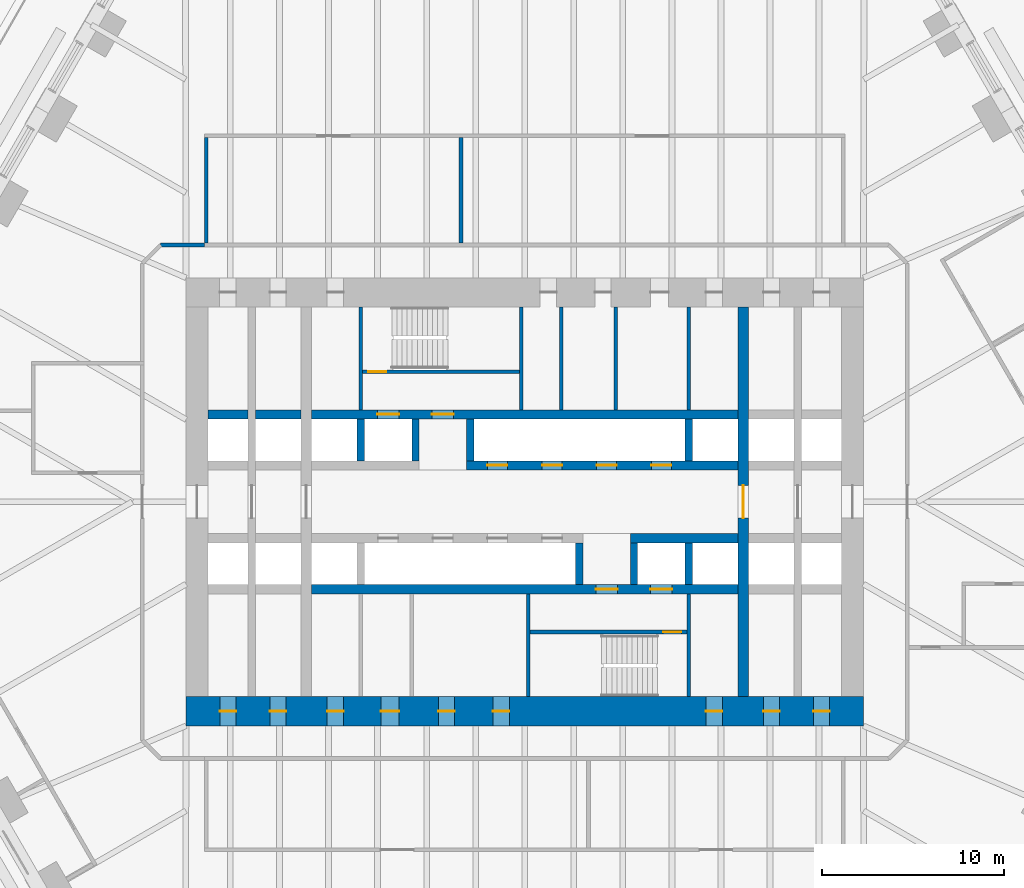
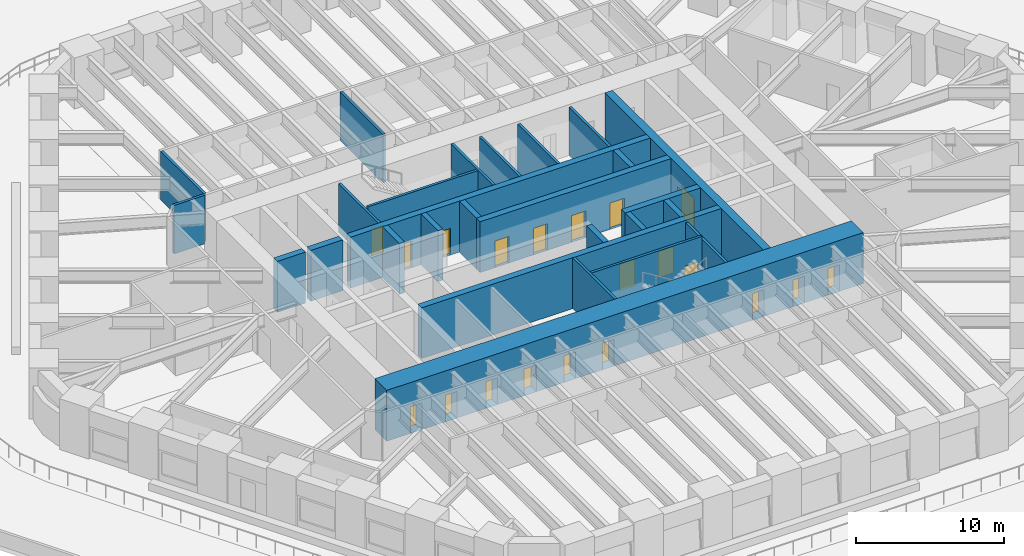
# One storey, part 10 of 17: 27 walls, 20 doors, 20 openings.
"""IFC4 building model written with IfcOpenShell, lengths in metres."""

from ifc_helpers import new_model, si_unit, direction, frame, frame_2d, origin, place, context, subcontext, project, spatial, rectangle, extrude, material, layer, layer_set, type_object, element, fill, save


model = new_model("IFC4")

# Units and contexts
model_context = context("Model", 3, precision=1e-05, world=origin(), true_north=direction((0.0, 1.0)))
body_context = subcontext(model_context, "Body", "Model", "MODEL_VIEW")
ifc_project = project(units=[si_unit("LENGTHUNIT", "METRE"), si_unit("AREAUNIT", "SQUARE_METRE"), si_unit("VOLUMEUNIT", "CUBIC_METRE"), si_unit("PLANEANGLEUNIT", "RADIAN"), si_unit("MASSUNIT", "GRAM", prefix="KILO")], contexts=[model_context])

# Site, building, storey
site_placement = place(None, origin())
site = spatial("IfcSite", under=ifc_project, at=site_placement, CompositionType="ELEMENT")
building_placement = place(site_placement, origin())
building = spatial("IfcBuilding", under=site, at=building_placement, Name="Tarfa Lantern Tower", CompositionType="ELEMENT")
storey_placement = place(building_placement, frame((0.0, 0.0, 23.5)))
storey = spatial("IfcBuildingStorey", under=building, at=storey_placement, Name="L04", CompositionType="ELEMENT", Elevation=23.5)

# Walls
ifc_material_1 = material(Name="Concrete blockwork", Category="masonry")
ifc_layer_1 = layer(ifc_material_1, 0.199951171875)
ifc_layer_set_1 = layer_set([ifc_layer_1], Name="IW1 BLOCKWORK PARTITION 200 EI 120")
wall_type_1 = type_object("IfcWallType", Name="IW1 BLOCKWORK PARTITION 200 EI 120", PredefinedType="PARTITIONING", material=ifc_layer_set_1)
for number, where, z_axis, x_axis, name in (
    (1, (-9.0, 5.050048828125, 0.0), (0.0, 0.0, 1.0), (0.0, 1.0, 0.0), "Core partition"),
    (2, (9.0, 5.050048828125, 0.0), (0.0, 0.0, 1.0), (0.0, 1.0, 0.0), "Core partition"),
    (3, (2.0, 5.050048828125, 0.0), (0.0, 0.0, 1.0), (0.0, 1.0, 0.0), "Core partition"),
    (4, (5.0, 5.050048828125, 0.0), (0.0, 0.0, 1.0), (0.0, 1.0, 0.0), "Core partition"),
    (5, (9.0, -5.050048828125, 0.0), (0.0, 0.0, 1.0), (0.0, -1.0, 0.0), "Core partition"),
):
    element("IfcWall", number, at=place(storey_placement, frame(where, z_axis=z_axis, x_axis=x_axis)), inside=storey, type_object=wall_type_1, Name=name, PredefinedType="PARTITIONING", context=body_context, shape_type="SweptSolid", body=[
        extrude(rectangle(XDim=5.64990234375, YDim=0.199951171875, at=frame_2d((2.824951171875, 0.0))), origin(), (0.0, 0.0, 1.0), 4.0),
    ])
ifc_material_2 = material(Name="Gypsum board on steel studs", Category="steel")
ifc_layer_2 = layer(ifc_material_2, 0.2099609375)
ifc_layer_set_2 = layer_set([ifc_layer_2], Name="IW2 ACOUSTIC PARTITION 200")
wall_type_2 = type_object("IfcWallType", Name="IW2 ACOUSTIC PARTITION 200", PredefinedType="PARTITIONING", material=ifc_layer_set_2)
for number, where, z_axis, x_axis, name in (
    (6, (-17.5, 14.199951171875, 0.0), (0.0, 0.0, 1.0), (0.0, 1.0, 0.0), "Partition"),
    (7, (-3.5, 14.199951171875, 0.0), (0.0, 0.0, 1.0), (0.0, 1.0, 0.0), "Partition"),
):
    element("IfcWall", number, at=place(storey_placement, frame(where, z_axis=z_axis, x_axis=x_axis)), inside=storey, type_object=wall_type_2, Name=name, PredefinedType="PARTITIONING", context=body_context, shape_type="SweptSolid", body=[
        extrude(rectangle(XDim=5.800048828125, YDim=0.199951171875, at=frame_2d((2.89990234375, 0.0))), origin(), (0.0, 0.0, 1.0), 4.0),
    ])
wall_1_placement = place(storey_placement, frame((-20.0, 14.10009765625, 0.0), z_axis=(0.0, 0.0, 1.0), x_axis=(1.0, 0.0, 0.0)))
element("IfcWall", 8, at=wall_1_placement, inside=storey, type_object=wall_type_2, Name="Partition", PredefinedType="PARTITIONING", context=body_context, shape_type="SweptSolid", body=[
    extrude(rectangle(XDim=2.39990234375, YDim=0.199951171875, at=frame_2d((1.199951171875, 0.0))), origin(), (0.0, 0.0, 1.0), 4.0),
])
ifc_material_3 = material(Name="Concrete C80/95", Category="concrete")
ifc_layer_3 = layer(ifc_material_3, 0.199951171875)
ifc_layer_set_3 = layer_set([ifc_layer_3], Name="SW12 CORE WALL 200")
wall_type_3 = type_object("IfcWallType", Name="SW12 CORE WALL 200", PredefinedType="SHEAR", material=ifc_layer_set_3)
wall_2_placement = place(storey_placement, frame((-0.199951171875, 5.050048828125, 0.0), z_axis=(0.0, 0.0, 1.0), x_axis=(0.0, 1.0, 0.0)))
element("IfcWall", 9, at=wall_2_placement, inside=storey, type_object=wall_type_3, Name="Core wall stair shaft N", PredefinedType="SHEAR", context=body_context, shape_type="SweptSolid", body=[
    extrude(rectangle(XDim=5.64990234375, YDim=0.199951171875, at=frame_2d((2.824951171875, 0.0))), origin(), (0.0, 0.0, 1.0), 4.199951171875),
])

# Wall, opening, door
wall_3_placement = place(storey_placement, frame((-8.89990234375, 7.14990234375, 0.0), z_axis=(0.0, 0.0, 1.0), x_axis=(1.0, 0.0, 0.0)))
wall_3 = element("IfcWall", 10, at=wall_3_placement, inside=storey, type_object=wall_type_3, Name="Core wall stair partition N", PredefinedType="SHEAR", context=body_context, shape_type="SweptSolid", body=[
    extrude(rectangle(XDim=8.599853515625, YDim=0.199951171875, at=frame_2d((4.2998046875, 0.0))), origin(), (0.0, 0.0, 1.0), 4.199951171875),
])
opening_1_placement = place(wall_3_placement, frame((0.300048828125, 0.0, 0.0)))
opening_1 = element("IfcOpeningElement", 11, at=opening_1_placement, cuts=wall_3, Name="Opening D23", PredefinedType="OPENING", context=body_context, shape_type="SweptSolid", body=[
    extrude(rectangle(XDim=1.0, YDim=2.199951171875, at=frame_2d((0.5, 1.10009765625))), frame((0.0, 0.10986328125, 0.0), z_axis=(0.0, -1.0, 0.0), x_axis=(1.0, 0.0, 0.0)), (0.0, 0.0, 1.0), 0.219970703125),
])
ifc_material_4 = material(Name="Steel fire door", Category="steel")
door_type_1 = type_object("IfcDoorType", Name="DF2 STAIR DOOR 1000x2200", OperationType="SINGLE_SWING_LEFT", PredefinedType="DOOR", material=ifc_material_4)
door_1_placement = place(opening_1_placement, origin())
door_1 = element("IfcDoor", 12, at=door_1_placement, inside=storey, type_object=door_type_1, Name="Stair door", OperationType="SINGLE_SWING_RIGHT", OverallHeight=2.199951171875, OverallWidth=1.0, PredefinedType="DOOR", context=body_context, shape_type="SweptSolid", body=[
    extrude(rectangle(XDim=1.0, YDim=2.199951171875, at=frame_2d((0.5, 1.10009765625))), frame((0.0, 0.02490234375, 0.0), z_axis=(0.0, -1.0, 0.0), x_axis=(1.0, 0.0, 0.0)), (0.0, 0.0, 1.0), 0.050048828125),
])
fill(opening_1, door_1)

# Wall
wall_4_placement = place(storey_placement, frame((0.199951171875, -5.050048828125, 0.0), z_axis=(0.0, 0.0, 1.0), x_axis=(0.0, -1.0, 0.0)))
element("IfcWall", 13, at=wall_4_placement, inside=storey, type_object=wall_type_3, Name="Core wall stair shaft S", PredefinedType="SHEAR", context=body_context, shape_type="SweptSolid", body=[
    extrude(rectangle(XDim=5.64990234375, YDim=0.199951171875, at=frame_2d((2.824951171875, 0.0))), origin(), (0.0, 0.0, 1.0), 4.199951171875),
])

# Wall, opening, door
wall_5_placement = place(storey_placement, frame((8.89990234375, -7.14990234375, 0.0), z_axis=(0.0, 0.0, 1.0), x_axis=(-1.0, 0.0, 0.0)))
wall_5 = element("IfcWall", 14, at=wall_5_placement, inside=storey, type_object=wall_type_3, Name="Core wall stair partition S", PredefinedType="SHEAR", context=body_context, shape_type="SweptSolid", body=[
    extrude(rectangle(XDim=8.599853515625, YDim=0.199951171875, at=frame_2d((4.2998046875, 0.0))), origin(), (0.0, 0.0, 1.0), 4.199951171875),
])
opening_2_placement = place(wall_5_placement, frame((0.300048828125, 0.0, 0.0)))
opening_2 = element("IfcOpeningElement", 15, at=opening_2_placement, cuts=wall_5, Name="Opening D24", PredefinedType="OPENING", context=body_context, shape_type="SweptSolid", body=[
    extrude(rectangle(XDim=1.0, YDim=2.199951171875, at=frame_2d((0.5, 1.10009765625))), frame((0.0, 0.10986328125, 0.0), z_axis=(0.0, -1.0, 0.0), x_axis=(1.0, 0.0, 0.0)), (0.0, 0.0, 1.0), 0.219970703125),
])
door_2_placement = place(opening_2_placement, origin())
door_2 = element("IfcDoor", 16, at=door_2_placement, inside=storey, type_object=door_type_1, Name="Stair door", OperationType="SINGLE_SWING_RIGHT", OverallHeight=2.199951171875, OverallWidth=1.0, PredefinedType="DOOR", context=body_context, shape_type="SweptSolid", body=[
    extrude(rectangle(XDim=1.0, YDim=2.199951171875, at=frame_2d((0.5, 1.10009765625))), frame((0.0, 0.02490234375, 0.0), z_axis=(0.0, -1.0, 0.0), x_axis=(1.0, 0.0, 0.0)), (0.0, 0.0, 1.0), 0.050048828125),
])
fill(opening_2, door_2)

# Wall, openings, doors
ifc_layer_4 = layer(ifc_material_3, 0.5)
ifc_layer_set_4 = layer_set([ifc_layer_4], Name="SW5 CORE WALL 500")
wall_type_4 = type_object("IfcWallType", Name="SW5 CORE WALL 500", PredefinedType="SHEAR", material=ifc_layer_set_4)
wall_6_placement = place(storey_placement, frame((-3.199951171875, 2.0, 0.0), z_axis=(0.0, 0.0, 1.0), x_axis=(1.0, 0.0, 0.0)))
wall_6 = element("IfcWall", 17, at=wall_6_placement, inside=storey, type_object=wall_type_4, Name="Core wall lobby east N", PredefinedType="SHEAR", context=body_context, shape_type="SweptSolid", body=[
    extrude(rectangle(XDim=14.89990234375, YDim=0.5, at=frame_2d((7.449951171875, 0.0))), origin(), (0.0, 0.0, 1.0), 4.199951171875),
])
opening_3_placement = place(wall_6_placement, frame((1.14990234375, 0.0, 0.0)))
opening_3 = element("IfcOpeningElement", 18, at=opening_3_placement, cuts=wall_6, Name="Opening LD03", PredefinedType="OPENING", context=body_context, shape_type="SweptSolid", body=[
    extrude(rectangle(XDim=1.10009765625, YDim=2.199951171875, at=frame_2d((0.550048828125, 1.10009765625))), frame((0.0, 0.260009765625, 0.0), z_axis=(0.0, -1.0, 0.0), x_axis=(1.0, 0.0, 0.0)), (0.0, 0.0, 1.0), 0.52001953125),
])
opening_4_placement = place(wall_6_placement, frame((4.14990234375, 0.0, 0.0)))
opening_4 = element("IfcOpeningElement", 19, at=opening_4_placement, cuts=wall_6, Name="Opening LD04", PredefinedType="OPENING", context=body_context, shape_type="SweptSolid", body=[
    extrude(rectangle(XDim=1.10009765625, YDim=2.199951171875, at=frame_2d((0.550048828125, 1.10009765625))), frame((0.0, 0.260009765625, 0.0), z_axis=(0.0, -1.0, 0.0), x_axis=(1.0, 0.0, 0.0)), (0.0, 0.0, 1.0), 0.52001953125),
])
opening_5_placement = place(wall_6_placement, frame((7.14990234375, 0.0, 0.0)))
opening_5 = element("IfcOpeningElement", 20, at=opening_5_placement, cuts=wall_6, Name="Opening LD05", PredefinedType="OPENING", context=body_context, shape_type="SweptSolid", body=[
    extrude(rectangle(XDim=1.10009765625, YDim=2.199951171875, at=frame_2d((0.550048828125, 1.10009765625))), frame((0.0, 0.260009765625, 0.0), z_axis=(0.0, -1.0, 0.0), x_axis=(1.0, 0.0, 0.0)), (0.0, 0.0, 1.0), 0.52001953125),
])
opening_6_placement = place(wall_6_placement, frame((10.14990234375, 0.0, 0.0)))
opening_6 = element("IfcOpeningElement", 21, at=opening_6_placement, cuts=wall_6, Name="Opening LD06", PredefinedType="OPENING", context=body_context, shape_type="SweptSolid", body=[
    extrude(rectangle(XDim=1.10009765625, YDim=2.199951171875, at=frame_2d((0.550048828125, 1.10009765625))), frame((0.0, 0.260009765625, 0.0), z_axis=(0.0, -1.0, 0.0), x_axis=(1.0, 0.0, 0.0)), (0.0, 0.0, 1.0), 0.52001953125),
])
ifc_material_5 = material(Name="Stainless steel lift door", Category="steel")
door_type_2 = type_object("IfcDoorType", Name="LD2 LIFT LANDING DOOR 1100x2200", OperationType="SLIDING_TO_LEFT", PredefinedType="DOOR", material=ifc_material_5)
door_3_placement = place(opening_3_placement, frame((1.10009765625, 0.0, 0.0), z_axis=(0.0, 0.0, 1.0), x_axis=(-1.0, 0.0, 0.0)))
door_3 = element("IfcDoor", 22, at=door_3_placement, inside=storey, type_object=door_type_2, Name="Landing door PA1", OperationType="SLIDING_TO_LEFT", OverallHeight=2.199951171875, OverallWidth=1.10009765625, PredefinedType="DOOR", context=body_context, shape_type="SweptSolid", body=[
    extrude(rectangle(XDim=1.10009765625, YDim=2.199951171875, at=frame_2d((0.550048828125, 1.10009765625))), frame((0.0, 0.02490234375, 0.0), z_axis=(0.0, -1.0, 0.0), x_axis=(1.0, 0.0, 0.0)), (0.0, 0.0, 1.0), 0.050048828125),
])
fill(opening_3, door_3)
door_4_placement = place(opening_4_placement, frame((1.10009765625, 0.0, 0.0), z_axis=(0.0, 0.0, 1.0), x_axis=(-1.0, 0.0, 0.0)))
door_4 = element("IfcDoor", 23, at=door_4_placement, inside=storey, type_object=door_type_2, Name="Landing door PA2", OperationType="SLIDING_TO_LEFT", OverallHeight=2.199951171875, OverallWidth=1.10009765625, PredefinedType="DOOR", context=body_context, shape_type="SweptSolid", body=[
    extrude(rectangle(XDim=1.10009765625, YDim=2.199951171875, at=frame_2d((0.550048828125, 1.10009765625))), frame((0.0, 0.02490234375, 0.0), z_axis=(0.0, -1.0, 0.0), x_axis=(1.0, 0.0, 0.0)), (0.0, 0.0, 1.0), 0.050048828125),
])
fill(opening_4, door_4)
door_5_placement = place(opening_5_placement, frame((1.10009765625, 0.0, 0.0), z_axis=(0.0, 0.0, 1.0), x_axis=(-1.0, 0.0, 0.0)))
door_5 = element("IfcDoor", 24, at=door_5_placement, inside=storey, type_object=door_type_2, Name="Landing door PA3", OperationType="SLIDING_TO_LEFT", OverallHeight=2.199951171875, OverallWidth=1.10009765625, PredefinedType="DOOR", context=body_context, shape_type="SweptSolid", body=[
    extrude(rectangle(XDim=1.10009765625, YDim=2.199951171875, at=frame_2d((0.550048828125, 1.10009765625))), frame((0.0, 0.02490234375, 0.0), z_axis=(0.0, -1.0, 0.0), x_axis=(1.0, 0.0, 0.0)), (0.0, 0.0, 1.0), 0.050048828125),
])
fill(opening_5, door_5)
door_6_placement = place(opening_6_placement, frame((1.10009765625, 0.0, 0.0), z_axis=(0.0, 0.0, 1.0), x_axis=(-1.0, 0.0, 0.0)))
door_6 = element("IfcDoor", 25, at=door_6_placement, inside=storey, type_object=door_type_2, Name="Landing door PA4", OperationType="SLIDING_TO_LEFT", OverallHeight=2.199951171875, OverallWidth=1.10009765625, PredefinedType="DOOR", context=body_context, shape_type="SweptSolid", body=[
    extrude(rectangle(XDim=1.10009765625, YDim=2.199951171875, at=frame_2d((0.550048828125, 1.10009765625))), frame((0.0, 0.02490234375, 0.0), z_axis=(0.0, -1.0, 0.0), x_axis=(1.0, 0.0, 0.0)), (0.0, 0.0, 1.0), 0.050048828125),
])
fill(opening_6, door_6)

# Walls
wall_7_placement = place(storey_placement, frame((-17.39990234375, 4.800048828125, 0.0), z_axis=(0.0, 0.0, 1.0), x_axis=(1.0, 0.0, 0.0)))
element("IfcWall", 26, at=wall_7_placement, inside=storey, type_object=wall_type_4, Name="Core wall rear N", PredefinedType="SHEAR", context=body_context, shape_type="SweptSolid", body=[
    extrude(rectangle(XDim=2.199951171875, YDim=0.5, at=frame_2d((1.10009765625, 0.0))), origin(), (0.0, 0.0, 1.0), 4.199951171875),
])
wall_8_placement = place(storey_placement, frame((-14.800048828125, 4.800048828125, 0.0), z_axis=(0.0, 0.0, 1.0), x_axis=(1.0, 0.0, 0.0)))
element("IfcWall", 27, at=wall_8_placement, inside=storey, type_object=wall_type_4, Name="Core wall rear N", PredefinedType="SHEAR", context=body_context, shape_type="SweptSolid", body=[
    extrude(rectangle(XDim=2.5, YDim=0.5, at=frame_2d((1.25, 0.0))), origin(), (0.0, 0.0, 1.0), 4.199951171875),
])

# Wall, openings, doors
wall_9_placement = place(storey_placement, frame((-11.699951171875, 4.800048828125, 0.0), z_axis=(0.0, 0.0, 1.0), x_axis=(1.0, 0.0, 0.0)))
wall_9 = element("IfcWall", 28, at=wall_9_placement, inside=storey, type_object=wall_type_4, Name="Core wall rear N", PredefinedType="SHEAR", context=body_context, shape_type="SweptSolid", body=[
    extrude(rectangle(XDim=23.39990234375, YDim=0.5, at=frame_2d((11.699951171875, 0.0))), origin(), (0.0, 0.0, 1.0), 4.199951171875),
])
opening_7_placement = place(wall_9_placement, frame((6.60009765625, 0.0, 0.0)))
opening_7 = element("IfcOpeningElement", 29, at=opening_7_placement, cuts=wall_9, Name="Opening D13", PredefinedType="OPENING", context=body_context, shape_type="SweptSolid", body=[
    extrude(rectangle(XDim=1.199951171875, YDim=2.199951171875, at=frame_2d((0.60009765625, 1.10009765625))), frame((0.0, 0.260009765625, 0.0), z_axis=(0.0, -1.0, 0.0), x_axis=(1.0, 0.0, 0.0)), (0.0, 0.0, 1.0), 0.52001953125),
])
opening_8_placement = place(wall_9_placement, frame((3.60009765625, 0.0, 0.0)))
opening_8 = element("IfcOpeningElement", 30, at=opening_8_placement, cuts=wall_9, Name="Opening LD01", PredefinedType="OPENING", context=body_context, shape_type="SweptSolid", body=[
    extrude(rectangle(XDim=1.199951171875, YDim=2.199951171875, at=frame_2d((0.60009765625, 1.10009765625))), frame((0.0, 0.260009765625, 0.0), z_axis=(0.0, -1.0, 0.0), x_axis=(1.0, 0.0, 0.0)), (0.0, 0.0, 1.0), 0.52001953125),
])
door_type_3 = type_object("IfcDoorType", Name="DF1 FIREFIGHTING LOBBY DOOR 1200x2200", OperationType="SINGLE_SWING_LEFT", PredefinedType="DOOR", material=ifc_material_4)
door_7_placement = place(opening_7_placement, origin())
door_7 = element("IfcDoor", 31, at=door_7_placement, inside=storey, type_object=door_type_3, Name="Firefighting lobby door", OperationType="SINGLE_SWING_LEFT", OverallHeight=2.199951171875, OverallWidth=1.199951171875, PredefinedType="DOOR", context=body_context, shape_type="SweptSolid", body=[
    extrude(rectangle(XDim=1.199951171875, YDim=2.199951171875, at=frame_2d((0.60009765625, 1.10009765625))), frame((0.0, 0.02490234375, 0.0), z_axis=(0.0, -1.0, 0.0), x_axis=(1.0, 0.0, 0.0)), (0.0, 0.0, 1.0), 0.050048828125),
])
fill(opening_7, door_7)
door_type_4 = type_object("IfcDoorType", Name="LD1 LIFT LANDING DOOR 1200x2200", OperationType="SLIDING_TO_LEFT", PredefinedType="DOOR", material=ifc_material_5)
door_8_placement = place(opening_8_placement, origin())
door_8 = element("IfcDoor", 32, at=door_8_placement, inside=storey, type_object=door_type_4, Name="Landing door FL1", OperationType="SLIDING_TO_LEFT", OverallHeight=2.199951171875, OverallWidth=1.199951171875, PredefinedType="DOOR", context=body_context, shape_type="SweptSolid", body=[
    extrude(rectangle(XDim=1.199951171875, YDim=2.199951171875, at=frame_2d((0.60009765625, 1.10009765625))), frame((0.0, 0.02490234375, 0.0), z_axis=(0.0, -1.0, 0.0), x_axis=(1.0, 0.0, 0.0)), (0.0, 0.0, 1.0), 0.050048828125),
])
fill(opening_8, door_8)

# Wall
wall_10_placement = place(storey_placement, frame((11.699951171875, -2.0, 0.0), z_axis=(0.0, 0.0, 1.0), x_axis=(-1.0, 0.0, 0.0)))
element("IfcWall", 33, at=wall_10_placement, inside=storey, type_object=wall_type_4, Name="Core wall lobby west S", PredefinedType="SHEAR", context=body_context, shape_type="SweptSolid", body=[
    extrude(rectangle(XDim=5.89990234375, YDim=0.5, at=frame_2d((2.949951171875, 0.0))), origin(), (0.0, 0.0, 1.0), 4.199951171875),
])

# Wall, openings, doors
wall_11_placement = place(storey_placement, frame((11.699951171875, -4.800048828125, 0.0), z_axis=(0.0, 0.0, 1.0), x_axis=(-1.0, 0.0, 0.0)))
wall_11 = element("IfcWall", 34, at=wall_11_placement, inside=storey, type_object=wall_type_4, Name="Core wall rear S", PredefinedType="SHEAR", context=body_context, shape_type="SweptSolid", body=[
    extrude(rectangle(XDim=23.39990234375, YDim=0.5, at=frame_2d((11.699951171875, 0.0))), origin(), (0.0, 0.0, 1.0), 4.199951171875),
])
opening_9_placement = place(wall_11_placement, frame((6.60009765625, 0.0, 0.0)))
opening_9 = element("IfcOpeningElement", 35, at=opening_9_placement, cuts=wall_11, Name="Opening D14", PredefinedType="OPENING", context=body_context, shape_type="SweptSolid", body=[
    extrude(rectangle(XDim=1.199951171875, YDim=2.199951171875, at=frame_2d((0.60009765625, 1.10009765625))), frame((0.0, 0.260009765625, 0.0), z_axis=(0.0, -1.0, 0.0), x_axis=(1.0, 0.0, 0.0)), (0.0, 0.0, 1.0), 0.52001953125),
])
opening_10_placement = place(wall_11_placement, frame((3.60009765625, 0.0, 0.0)))
opening_10 = element("IfcOpeningElement", 36, at=opening_10_placement, cuts=wall_11, Name="Opening LD02", PredefinedType="OPENING", context=body_context, shape_type="SweptSolid", body=[
    extrude(rectangle(XDim=1.199951171875, YDim=2.199951171875, at=frame_2d((0.60009765625, 1.10009765625))), frame((0.0, 0.260009765625, 0.0), z_axis=(0.0, -1.0, 0.0), x_axis=(1.0, 0.0, 0.0)), (0.0, 0.0, 1.0), 0.52001953125),
])
door_9_placement = place(opening_9_placement, origin())
door_9 = element("IfcDoor", 37, at=door_9_placement, inside=storey, type_object=door_type_3, Name="Firefighting lobby door", OperationType="SINGLE_SWING_LEFT", OverallHeight=2.199951171875, OverallWidth=1.199951171875, PredefinedType="DOOR", context=body_context, shape_type="SweptSolid", body=[
    extrude(rectangle(XDim=1.199951171875, YDim=2.199951171875, at=frame_2d((0.60009765625, 1.10009765625))), frame((0.0, 0.02490234375, 0.0), z_axis=(0.0, -1.0, 0.0), x_axis=(1.0, 0.0, 0.0)), (0.0, 0.0, 1.0), 0.050048828125),
])
fill(opening_9, door_9)
door_10_placement = place(opening_10_placement, origin())
door_10 = element("IfcDoor", 38, at=door_10_placement, inside=storey, type_object=door_type_4, Name="Landing door FL2", OperationType="SLIDING_TO_LEFT", OverallHeight=2.199951171875, OverallWidth=1.199951171875, PredefinedType="DOOR", context=body_context, shape_type="SweptSolid", body=[
    extrude(rectangle(XDim=1.199951171875, YDim=2.199951171875, at=frame_2d((0.60009765625, 1.10009765625))), frame((0.0, 0.02490234375, 0.0), z_axis=(0.0, -1.0, 0.0), x_axis=(1.0, 0.0, 0.0)), (0.0, 0.0, 1.0), 0.050048828125),
])
fill(opening_10, door_10)

# Walls
ifc_layer_5 = layer(ifc_material_3, 0.39990234375)
ifc_layer_set_5 = layer_set([ifc_layer_5], Name="SW6 CORE WALL 400")
wall_type_5 = type_object("IfcWallType", Name="SW6 CORE WALL 400", PredefinedType="SHEAR", material=ifc_layer_set_5)
for number, where, z_axis, x_axis, name in (
    (39, (-9.0, 2.25, 0.0), (0.0, 0.0, 1.0), (0.0, 1.0, 0.0), "Core wall divider N"),
    (40, (-6.0, 2.25, 0.0), (0.0, 0.0, 1.0), (0.0, 1.0, 0.0), "Core wall divider N"),
    (41, (-3.0, 2.25, 0.0), (0.0, 0.0, 1.0), (0.0, 1.0, 0.0), "Core wall divider N"),
    (42, (9.0, 2.25, 0.0), (0.0, 0.0, 1.0), (0.0, 1.0, 0.0), "Core wall divider N"),
    (43, (9.0, -2.25, 0.0), (0.0, 0.0, 1.0), (0.0, -1.0, 0.0), "Core wall divider S"),
    (44, (6.0, -2.25, 0.0), (0.0, 0.0, 1.0), (0.0, -1.0, 0.0), "Core wall divider S"),
    (45, (3.0, -2.25, 0.0), (0.0, 0.0, 1.0), (0.0, -1.0, 0.0), "Core wall divider S"),
):
    element("IfcWall", number, at=place(storey_placement, frame(where, z_axis=z_axis, x_axis=x_axis)), inside=storey, type_object=wall_type_5, Name=name, PredefinedType="SHEAR", context=body_context, shape_type="SweptSolid", body=[
        extrude(rectangle(XDim=2.300048828125, YDim=0.39990234375, at=frame_2d((1.14990234375, 0.0))), origin(), (0.0, 0.0, 1.0), 4.199951171875),
    ])

# Wall, openings, doors
ifc_layer_6 = layer(ifc_material_3, 1.60009765625)
ifc_layer_set_6 = layer_set([ifc_layer_6], Name="SW7 CORE WALL 1600")
wall_type_6 = type_object("IfcWallType", Name="SW7 CORE WALL 1600", PredefinedType="SHEAR", material=ifc_layer_set_6)
wall_12_placement = place(storey_placement, frame((18.60009765625, -11.5, 0.0), z_axis=(0.0, 0.0, 1.0), x_axis=(-1.0, 0.0, 0.0)))
wall_12 = element("IfcWall", 46, at=wall_12_placement, inside=storey, type_object=wall_type_6, Name="Core wall S", PredefinedType="SHEAR", context=body_context, shape_type="SweptSolid", body=[
    extrude(rectangle(XDim=37.2001953125, YDim=1.60009765625, at=frame_2d((18.60009765625, 0.0))), origin(), (0.0, 0.0, 1.0), 4.199951171875),
])
opening_11_placement = place(wall_12_placement, frame((19.449951171875, 0.0, 0.0)))
opening_11 = element("IfcOpeningElement", 47, at=opening_11_placement, cuts=wall_12, Name="Opening D18", PredefinedType="OPENING", context=body_context, shape_type="SweptSolid", body=[
    extrude(rectangle(XDim=0.89990234375, YDim=2.199951171875, at=frame_2d((0.449951171875, 1.10009765625))), frame((0.0, 0.81005859375, 0.0), z_axis=(0.0, -1.0, 0.0), x_axis=(1.0, 0.0, 0.0)), (0.0, 0.0, 1.0), 1.6201171875),
])
opening_12_placement = place(wall_12_placement, frame((22.449951171875, 0.0, 0.0)))
opening_12 = element("IfcOpeningElement", 48, at=opening_12_placement, cuts=wall_12, Name="Opening D20", PredefinedType="OPENING", context=body_context, shape_type="SweptSolid", body=[
    extrude(rectangle(XDim=0.89990234375, YDim=2.199951171875, at=frame_2d((0.449951171875, 1.10009765625))), frame((0.0, 0.81005859375, 0.0), z_axis=(0.0, -1.0, 0.0), x_axis=(1.0, 0.0, 0.0)), (0.0, 0.0, 1.0), 1.6201171875),
])
opening_13_placement = place(wall_12_placement, frame((25.5, 0.0, 0.0)))
opening_13 = element("IfcOpeningElement", 49, at=opening_13_placement, cuts=wall_12, Name="Opening D22", PredefinedType="OPENING", context=body_context, shape_type="SweptSolid", body=[
    extrude(rectangle(XDim=1.0, YDim=2.199951171875, at=frame_2d((0.5, 1.10009765625))), frame((0.0, 0.81005859375, 0.0), z_axis=(0.0, -1.0, 0.0), x_axis=(1.0, 0.0, 0.0)), (0.0, 0.0, 1.0), 1.6201171875),
])
opening_14_placement = place(wall_12_placement, frame((1.85009765625, 0.0, 0.0)))
opening_14 = element("IfcOpeningElement", 50, at=opening_14_placement, cuts=wall_12, Name="Opening D12", PredefinedType="OPENING", context=body_context, shape_type="SweptSolid", body=[
    extrude(rectangle(XDim=0.89990234375, YDim=2.199951171875, at=frame_2d((0.449951171875, 1.10009765625))), frame((0.0, 0.81005859375, 0.0), z_axis=(0.0, -1.0, 0.0), x_axis=(1.0, 0.0, 0.0)), (0.0, 0.0, 1.0), 1.6201171875),
])
opening_15_placement = place(wall_12_placement, frame((4.60009765625, 0.0, 0.0)))
opening_15 = element("IfcOpeningElement", 51, at=opening_15_placement, cuts=wall_12, Name="Opening D08", PredefinedType="OPENING", context=body_context, shape_type="SweptSolid", body=[
    extrude(rectangle(XDim=0.89990234375, YDim=2.199951171875, at=frame_2d((0.449951171875, 1.10009765625))), frame((0.0, 0.81005859375, 0.0), z_axis=(0.0, -1.0, 0.0), x_axis=(1.0, 0.0, 0.0)), (0.0, 0.0, 1.0), 1.6201171875),
])
opening_16_placement = place(wall_12_placement, frame((7.75, 0.0, 0.0)))
opening_16 = element("IfcOpeningElement", 52, at=opening_16_placement, cuts=wall_12, Name="Opening D10", PredefinedType="OPENING", context=body_context, shape_type="SweptSolid", body=[
    extrude(rectangle(XDim=0.89990234375, YDim=2.199951171875, at=frame_2d((0.449951171875, 1.10009765625))), frame((0.0, 0.81005859375, 0.0), z_axis=(0.0, -1.0, 0.0), x_axis=(1.0, 0.0, 0.0)), (0.0, 0.0, 1.0), 1.6201171875),
])
opening_17_placement = place(wall_12_placement, frame((28.550048828125, 0.0, 0.0)))
opening_17 = element("IfcOpeningElement", 53, at=opening_17_placement, cuts=wall_12, Name="Opening D06", PredefinedType="OPENING", context=body_context, shape_type="SweptSolid", body=[
    extrude(rectangle(XDim=0.89990234375, YDim=2.199951171875, at=frame_2d((0.449951171875, 1.10009765625))), frame((0.0, 0.81005859375, 0.0), z_axis=(0.0, -1.0, 0.0), x_axis=(1.0, 0.0, 0.0)), (0.0, 0.0, 1.0), 1.6201171875),
])
opening_18_placement = place(wall_12_placement, frame((31.699951171875, 0.0, 0.0)))
opening_18 = element("IfcOpeningElement", 54, at=opening_18_placement, cuts=wall_12, Name="Opening D02", PredefinedType="OPENING", context=body_context, shape_type="SweptSolid", body=[
    extrude(rectangle(XDim=0.89990234375, YDim=2.199951171875, at=frame_2d((0.449951171875, 1.10009765625))), frame((0.0, 0.81005859375, 0.0), z_axis=(0.0, -1.0, 0.0), x_axis=(1.0, 0.0, 0.0)), (0.0, 0.0, 1.0), 1.6201171875),
])
opening_19_placement = place(wall_12_placement, frame((34.449951171875, 0.0, 0.0)))
opening_19 = element("IfcOpeningElement", 55, at=opening_19_placement, cuts=wall_12, Name="Opening D04", PredefinedType="OPENING", context=body_context, shape_type="SweptSolid", body=[
    extrude(rectangle(XDim=0.89990234375, YDim=2.199951171875, at=frame_2d((0.449951171875, 1.10009765625))), frame((0.0, 0.81005859375, 0.0), z_axis=(0.0, -1.0, 0.0), x_axis=(1.0, 0.0, 0.0)), (0.0, 0.0, 1.0), 1.6201171875),
])
door_type_5 = type_object("IfcDoorType", Name="DF3 CORE ROOM DOOR 900x2200", OperationType="SINGLE_SWING_LEFT", PredefinedType="DOOR", material=ifc_material_4)
door_11_placement = place(opening_11_placement, frame((0.89990234375, 0.0, 0.0), z_axis=(0.0, 0.0, 1.0), x_axis=(-1.0, 0.0, 0.0)))
door_11 = element("IfcDoor", 56, at=door_11_placement, inside=storey, type_object=door_type_5, Name="Core door", OperationType="SINGLE_SWING_LEFT", OverallHeight=2.199951171875, OverallWidth=0.89990234375, PredefinedType="DOOR", context=body_context, shape_type="SweptSolid", body=[
    extrude(rectangle(XDim=0.89990234375, YDim=2.199951171875, at=frame_2d((0.449951171875, 1.10009765625))), frame((0.0, 0.02490234375, 0.0), z_axis=(0.0, -1.0, 0.0), x_axis=(1.0, 0.0, 0.0)), (0.0, 0.0, 1.0), 0.050048828125),
])
fill(opening_11, door_11)
door_12_placement = place(opening_12_placement, frame((0.89990234375, 0.0, 0.0), z_axis=(0.0, 0.0, 1.0), x_axis=(-1.0, 0.0, 0.0)))
door_12 = element("IfcDoor", 57, at=door_12_placement, inside=storey, type_object=door_type_5, Name="Core door", OperationType="SINGLE_SWING_RIGHT", OverallHeight=2.199951171875, OverallWidth=0.89990234375, PredefinedType="DOOR", context=body_context, shape_type="SweptSolid", body=[
    extrude(rectangle(XDim=0.89990234375, YDim=2.199951171875, at=frame_2d((0.449951171875, 1.10009765625))), frame((0.0, 0.02490234375, 0.0), z_axis=(0.0, -1.0, 0.0), x_axis=(1.0, 0.0, 0.0)), (0.0, 0.0, 1.0), 0.050048828125),
])
fill(opening_12, door_12)
door_type_6 = type_object("IfcDoorType", Name="DF4 CORE ROOM DOOR 1000x2200", OperationType="SINGLE_SWING_LEFT", PredefinedType="DOOR", material=ifc_material_4)
door_13_placement = place(opening_13_placement, frame((1.0, 0.0, 0.0), z_axis=(0.0, 0.0, 1.0), x_axis=(-1.0, 0.0, 0.0)))
door_13 = element("IfcDoor", 58, at=door_13_placement, inside=storey, type_object=door_type_6, Name="Core door", OperationType="SINGLE_SWING_LEFT", OverallHeight=2.199951171875, OverallWidth=1.0, PredefinedType="DOOR", context=body_context, shape_type="SweptSolid", body=[
    extrude(rectangle(XDim=1.0, YDim=2.199951171875, at=frame_2d((0.5, 1.10009765625))), frame((0.0, 0.02490234375, 0.0), z_axis=(0.0, -1.0, 0.0), x_axis=(1.0, 0.0, 0.0)), (0.0, 0.0, 1.0), 0.050048828125),
])
fill(opening_13, door_13)
door_type_7 = type_object("IfcDoorType", Name="DF5 RISER DOOR 900x2200", OperationType="SINGLE_SWING_LEFT", PredefinedType="DOOR", material=ifc_material_4)
door_14_placement = place(opening_14_placement, frame((0.89990234375, 0.0, 0.0), z_axis=(0.0, 0.0, 1.0), x_axis=(-1.0, 0.0, 0.0)))
door_14 = element("IfcDoor", 59, at=door_14_placement, inside=storey, type_object=door_type_7, Name="Riser door", OperationType="SINGLE_SWING_LEFT", OverallHeight=2.199951171875, OverallWidth=0.89990234375, PredefinedType="DOOR", context=body_context, shape_type="SweptSolid", body=[
    extrude(rectangle(XDim=0.89990234375, YDim=2.199951171875, at=frame_2d((0.449951171875, 1.10009765625))), frame((0.0, 0.02490234375, 0.0), z_axis=(0.0, -1.0, 0.0), x_axis=(1.0, 0.0, 0.0)), (0.0, 0.0, 1.0), 0.050048828125),
])
fill(opening_14, door_14)
door_15_placement = place(opening_15_placement, frame((0.89990234375, 0.0, 0.0), z_axis=(0.0, 0.0, 1.0), x_axis=(-1.0, 0.0, 0.0)))
door_15 = element("IfcDoor", 60, at=door_15_placement, inside=storey, type_object=door_type_7, Name="Riser door", OperationType="SINGLE_SWING_LEFT", OverallHeight=2.199951171875, OverallWidth=0.89990234375, PredefinedType="DOOR", context=body_context, shape_type="SweptSolid", body=[
    extrude(rectangle(XDim=0.89990234375, YDim=2.199951171875, at=frame_2d((0.449951171875, 1.10009765625))), frame((0.0, 0.02490234375, 0.0), z_axis=(0.0, -1.0, 0.0), x_axis=(1.0, 0.0, 0.0)), (0.0, 0.0, 1.0), 0.050048828125),
])
fill(opening_15, door_15)
door_16_placement = place(opening_16_placement, frame((0.89990234375, 0.0, 0.0), z_axis=(0.0, 0.0, 1.0), x_axis=(-1.0, 0.0, 0.0)))
door_16 = element("IfcDoor", 61, at=door_16_placement, inside=storey, type_object=door_type_7, Name="Riser door", OperationType="SINGLE_SWING_LEFT", OverallHeight=2.199951171875, OverallWidth=0.89990234375, PredefinedType="DOOR", context=body_context, shape_type="SweptSolid", body=[
    extrude(rectangle(XDim=0.89990234375, YDim=2.199951171875, at=frame_2d((0.449951171875, 1.10009765625))), frame((0.0, 0.02490234375, 0.0), z_axis=(0.0, -1.0, 0.0), x_axis=(1.0, 0.0, 0.0)), (0.0, 0.0, 1.0), 0.050048828125),
])
fill(opening_16, door_16)
door_17_placement = place(opening_17_placement, frame((0.89990234375, 0.0, 0.0), z_axis=(0.0, 0.0, 1.0), x_axis=(-1.0, 0.0, 0.0)))
door_17 = element("IfcDoor", 62, at=door_17_placement, inside=storey, type_object=door_type_7, Name="Riser door", OperationType="SINGLE_SWING_RIGHT", OverallHeight=2.199951171875, OverallWidth=0.89990234375, PredefinedType="DOOR", context=body_context, shape_type="SweptSolid", body=[
    extrude(rectangle(XDim=0.89990234375, YDim=2.199951171875, at=frame_2d((0.449951171875, 1.10009765625))), frame((0.0, 0.02490234375, 0.0), z_axis=(0.0, -1.0, 0.0), x_axis=(1.0, 0.0, 0.0)), (0.0, 0.0, 1.0), 0.050048828125),
])
fill(opening_17, door_17)
door_18_placement = place(opening_18_placement, frame((0.89990234375, 0.0, 0.0), z_axis=(0.0, 0.0, 1.0), x_axis=(-1.0, 0.0, 0.0)))
door_18 = element("IfcDoor", 63, at=door_18_placement, inside=storey, type_object=door_type_7, Name="Riser door", OperationType="SINGLE_SWING_RIGHT", OverallHeight=2.199951171875, OverallWidth=0.89990234375, PredefinedType="DOOR", context=body_context, shape_type="SweptSolid", body=[
    extrude(rectangle(XDim=0.89990234375, YDim=2.199951171875, at=frame_2d((0.449951171875, 1.10009765625))), frame((0.0, 0.02490234375, 0.0), z_axis=(0.0, -1.0, 0.0), x_axis=(1.0, 0.0, 0.0)), (0.0, 0.0, 1.0), 0.050048828125),
])
fill(opening_18, door_18)
door_19_placement = place(opening_19_placement, frame((0.89990234375, 0.0, 0.0), z_axis=(0.0, 0.0, 1.0), x_axis=(-1.0, 0.0, 0.0)))
door_19 = element("IfcDoor", 64, at=door_19_placement, inside=storey, type_object=door_type_7, Name="Riser door", OperationType="SINGLE_SWING_RIGHT", OverallHeight=2.199951171875, OverallWidth=0.89990234375, PredefinedType="DOOR", context=body_context, shape_type="SweptSolid", body=[
    extrude(rectangle(XDim=0.89990234375, YDim=2.199951171875, at=frame_2d((0.449951171875, 1.10009765625))), frame((0.0, 0.02490234375, 0.0), z_axis=(0.0, -1.0, 0.0), x_axis=(1.0, 0.0, 0.0)), (0.0, 0.0, 1.0), 0.050048828125),
])
fill(opening_19, door_19)

# Wall, opening, door
ifc_layer_7 = layer(ifc_material_3, 0.60009765625)
ifc_layer_set_7 = layer_set([ifc_layer_7], Name="SW9 CORE WALL 600")
wall_type_7 = type_object("IfcWallType", Name="SW9 CORE WALL 600", PredefinedType="SHEAR", material=ifc_layer_set_7)
wall_13_placement = place(storey_placement, frame((12.0, -10.699951171875, 0.0), z_axis=(0.0, 0.0, 1.0), x_axis=(0.0, 1.0, 0.0)))
wall_13 = element("IfcWall", 65, at=wall_13_placement, inside=storey, type_object=wall_type_7, Name="Core wall cross 12 m east", PredefinedType="SHEAR", context=body_context, shape_type="SweptSolid", body=[
    extrude(rectangle(XDim=21.39990234375, YDim=0.60009765625, at=frame_2d((10.699951171875, 0.0))), origin(), (0.0, 0.0, 1.0), 4.199951171875),
])
opening_20_placement = place(wall_13_placement, frame((9.800048828125, 0.0, 0.0)))
opening_20 = element("IfcOpeningElement", 66, at=opening_20_placement, cuts=wall_13, Name="Opening D25", PredefinedType="OPENING", context=body_context, shape_type="SweptSolid", body=[
    extrude(rectangle(XDim=1.800048828125, YDim=2.39990234375, at=frame_2d((0.89990234375, 1.199951171875))), frame((0.0, 0.31005859375, 0.0), z_axis=(0.0, -1.0, 0.0), x_axis=(1.0, 0.0, 0.0)), (0.0, 0.0, 1.0), 0.6201171875),
])
door_type_8 = type_object("IfcDoorType", Name="DL1 LOBBY DOOR 1800x2400", OperationType="DOUBLE_DOOR_SINGLE_SWING", PredefinedType="DOOR", material=ifc_material_4)
door_20_placement = place(opening_20_placement, origin())
door_20 = element("IfcDoor", 67, at=door_20_placement, inside=storey, type_object=door_type_8, Name="Lift lobby door", OperationType="DOUBLE_DOOR_SINGLE_SWING", OverallHeight=2.39990234375, OverallWidth=1.800048828125, PredefinedType="DOOR", context=body_context, shape_type="SweptSolid", body=[
    extrude(rectangle(XDim=1.800048828125, YDim=2.39990234375, at=frame_2d((0.89990234375, 1.199951171875))), frame((0.0, 0.02490234375, 0.0), z_axis=(0.0, -1.0, 0.0), x_axis=(1.0, 0.0, 0.0)), (0.0, 0.0, 1.0), 0.050048828125),
])
fill(opening_20, door_20)

save(model, "model.ifc")
